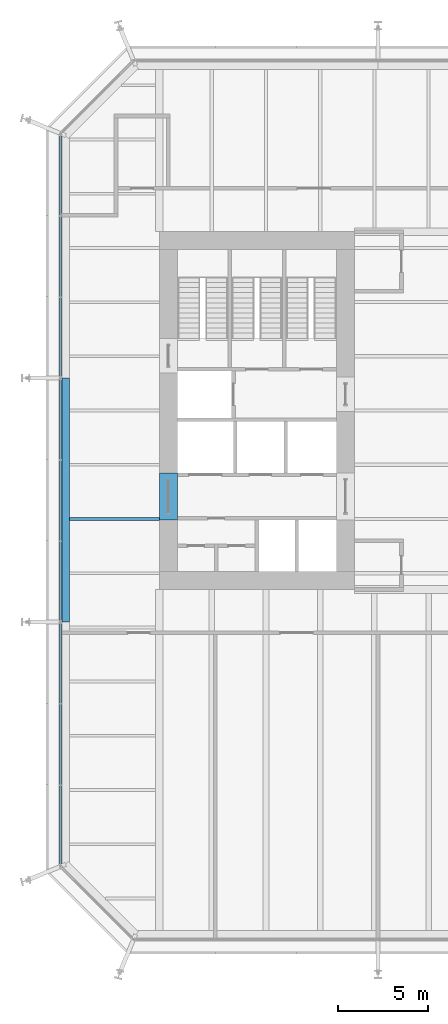
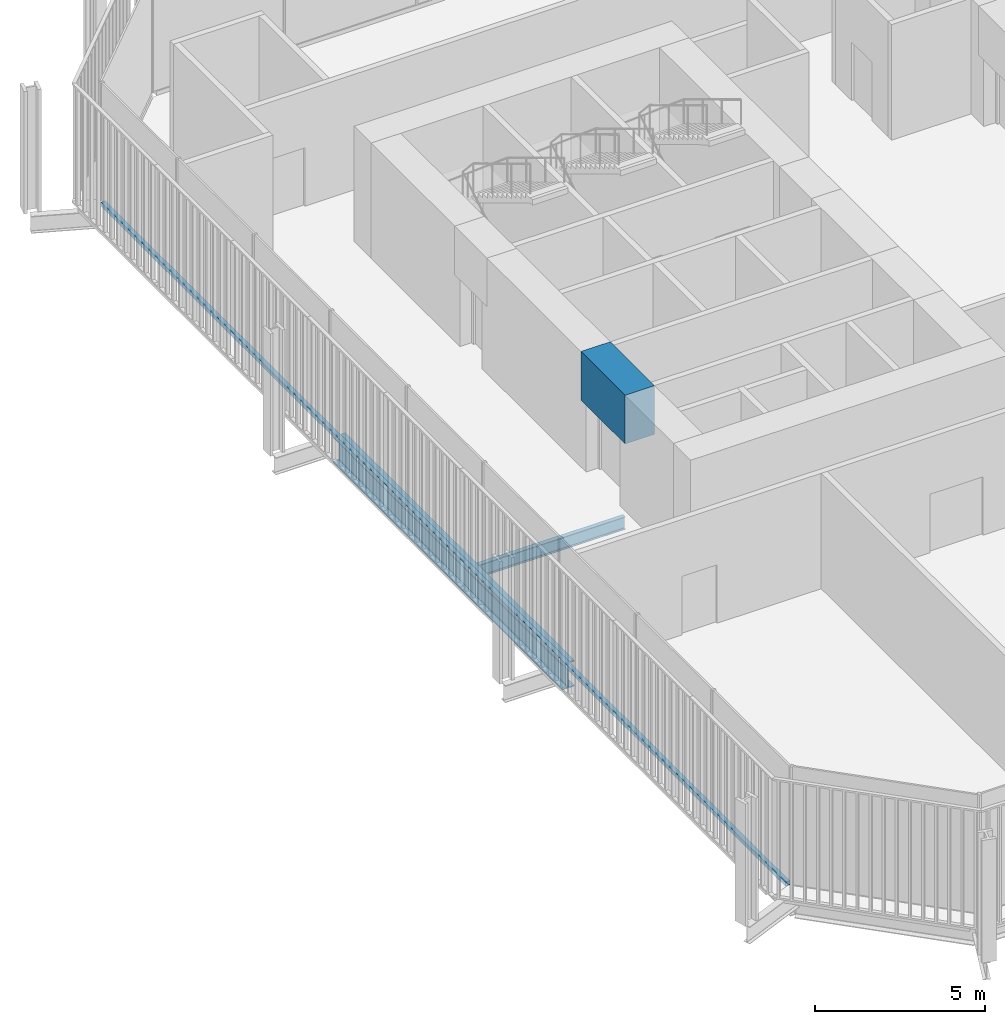
# One storey, part 6 of 20: 3 beams, 1 member, 1 element without a shape of its own.
"""IFC4 building model written with IfcOpenShell, lengths in metres."""

from ifc_helpers import new_model, si_unit, direction, frame, origin, origin_2d, place, context, subcontext, project, spatial, rectangle, i_section, extrude, material, layer, layer_set, material_profile, profile_set, type_object, element, aggregate, save


model = new_model("IFC4")

# Units and contexts
model_context = context("Model", 3, precision=1e-05, world=origin(), true_north=direction((0.0, 1.0)))
body_context = subcontext(model_context, "Body", "Model", "MODEL_VIEW")
ifc_project = project(units=[si_unit("LENGTHUNIT", "METRE"), si_unit("AREAUNIT", "SQUARE_METRE"), si_unit("VOLUMEUNIT", "CUBIC_METRE"), si_unit("PLANEANGLEUNIT", "RADIAN"), si_unit("MASSUNIT", "GRAM", prefix="KILO")], contexts=[model_context])

# Site, building, storey
site_placement = place(None, origin())
site = spatial("IfcSite", under=ifc_project, at=site_placement, CompositionType="ELEMENT")
building_placement = place(site_placement, origin())
building = spatial("IfcBuilding", under=site, at=building_placement, Name="Millrace Tower", CompositionType="ELEMENT")
storey_placement = place(building_placement, frame((0.0, 0.0, 108.39990234375)))
storey = spatial("IfcBuildingStorey", under=building, at=storey_placement, Name="L24", CompositionType="ELEMENT", Elevation=108.39990234375)

# Curtain wall, member
ifc_material_1 = material(Name="Aluminium and glass", Category="aluminium")
ifc_layer = layer(ifc_material_1, 0.14990234375)
ifc_layer_set = layer_set([ifc_layer], Name="Aluminium and glass")
curtain_wall_type = type_object("IfcCurtainWallType", Name="CW-3 telecom floor curtain wall", PredefinedType="NOTDEFINED", material=ifc_layer_set)
curtain_wall_placement = place(storey_placement, origin())
curtain_wall = element("IfcCurtainWall", 1, at=curtain_wall_placement, inside=storey, type_object=curtain_wall_type, Name="Curtain wall B-F08 L24", PredefinedType="NOTDEFINED")
ifc_material_2 = material(Name="Aluminium", Category="aluminium")
ifc_material_profile_1 = material_profile(ifc_material_2, rectangle(XDim=0.14990234375, YDim=0.14990234375, at=origin_2d()))
ifc_profile_set_1 = profile_set([ifc_material_profile_1], Name="Aluminium")
member_type = type_object("IfcMemberType", Name="CW-3 telecom floor curtain wall transom", PredefinedType="USERDEFINED", material=ifc_profile_set_1)
member_placement = place(storey_placement, frame((-20.375, 15.199951171875, 0.0751953125), z_axis=(0.0, -1.0, 0.0), x_axis=(1.0, 0.0, 0.0)))
member = element("IfcMember", 2, at=member_placement, type_object=member_type, Name="CW3 transom B-F08.1", ObjectType="TRANSOM", PredefinedType="USERDEFINED", context=body_context, shape_type="SweptSolid", body=[
    extrude(rectangle(XDim=0.14990234375, YDim=0.14990234375, at=origin_2d()), origin(), (0.0, 0.0, 1.0), 40.300048828125),
])
aggregate(curtain_wall, [member])

# Beams
ifc_material_3 = material(Name="Concrete C80", Category="concrete")
ifc_material_profile_2 = material_profile(ifc_material_3, rectangle(XDim=1.0, YDim=1.75, at=origin_2d()))
ifc_profile_set_2 = profile_set([ifc_material_profile_2], Name="Concrete C80")
beam_type_1 = type_object("IfcBeamType", Name="Coupling beam 1000 x 1750 Concrete C80, 2000 opening", PredefinedType="BEAM", material=ifc_profile_set_2)
beam_1_placement = place(storey_placement, frame((-14.39990234375, -6.050048828125, 3.275146484375), z_axis=(0.0, 1.0, 0.0), x_axis=(-1.0, 0.0, 0.0)))
element("IfcBeam", 3, at=beam_1_placement, inside=storey, type_object=beam_type_1, Name="Coupling beam W L24", PredefinedType="BEAM", context=body_context, shape_type="SweptSolid", body=[
    extrude(rectangle(XDim=1.0, YDim=1.75, at=origin_2d()), origin(), (0.0, 0.0, 1.0), 2.60009765625),
])
ifc_material_4 = material(Name="Steel ASTM A992 Grade 50", Category="steel")
ifc_material_profile_3 = material_profile(ifc_material_4, i_section(OverallWidth=0.15234375, OverallDepth=0.449462890625, WebThickness=0.007568359375, FlangeThickness=0.0107421875, FilletRadius=0.01025390625, at=origin_2d()))
ifc_profile_set_3 = profile_set([ifc_material_profile_3], Name="Steel ASTM A992 Grade 50")
beam_type_2 = type_object("IfcBeamType", Name="Floor beam W18x35", PredefinedType="JOIST", material=ifc_profile_set_3)
beam_2_placement = place(storey_placement, frame((-19.880859375, -6.0, -0.4248046875), z_axis=(1.0, 0.0, 0.0), x_axis=(0.0, 1.0, 0.0)))
element("IfcBeam", 4, at=beam_2_placement, inside=storey, type_object=beam_type_2, Name="BM-B-L24-S1-S017", PredefinedType="JOIST", context=body_context, shape_type="SweptSolid", body=[
    extrude(i_section(OverallWidth=0.15234375, OverallDepth=0.449462890625, WebThickness=0.007568359375, FlangeThickness=0.0107421875, FilletRadius=0.01025390625, at=origin_2d()), origin(), (0.0, 0.0, 1.0), 4.98095703125),
])
ifc_material_5 = material(Name="Steel ASTM A992 Grade 50", Category="steel")
ifc_material_profile_4 = material_profile(ifc_material_5, i_section(OverallWidth=0.419189453125, OverallDepth=0.927001953125, WebThickness=0.019287109375, FlangeThickness=0.031982421875, FilletRadius=0.024169921875, at=origin_2d()))
ifc_profile_set_4 = profile_set([ifc_material_profile_4], Name="Steel ASTM A992 Grade 50")
beam_type_3 = type_object("IfcBeamType", Name="Ring beam medium span W36x231", PredefinedType="SPANDREL", material=ifc_profile_set_4)
beam_3_placement = place(storey_placement, frame((-20.09033203125, -11.699951171875, -0.66357421875), z_axis=(0.0, 1.0, 0.0), x_axis=(-1.0, 0.0, 0.0)))
element("IfcBeam", 5, at=beam_3_placement, inside=storey, type_object=beam_type_3, Name="RNG-B-L24-S1-02", PredefinedType="SPANDREL", context=body_context, shape_type="SweptSolid", body=[
    extrude(i_section(OverallWidth=0.419189453125, OverallDepth=0.927001953125, WebThickness=0.019287109375, FlangeThickness=0.031982421875, FilletRadius=0.024169921875, at=origin_2d()), origin(), (0.0, 0.0, 1.0), 13.5),
])

save(model, "model.ifc")
